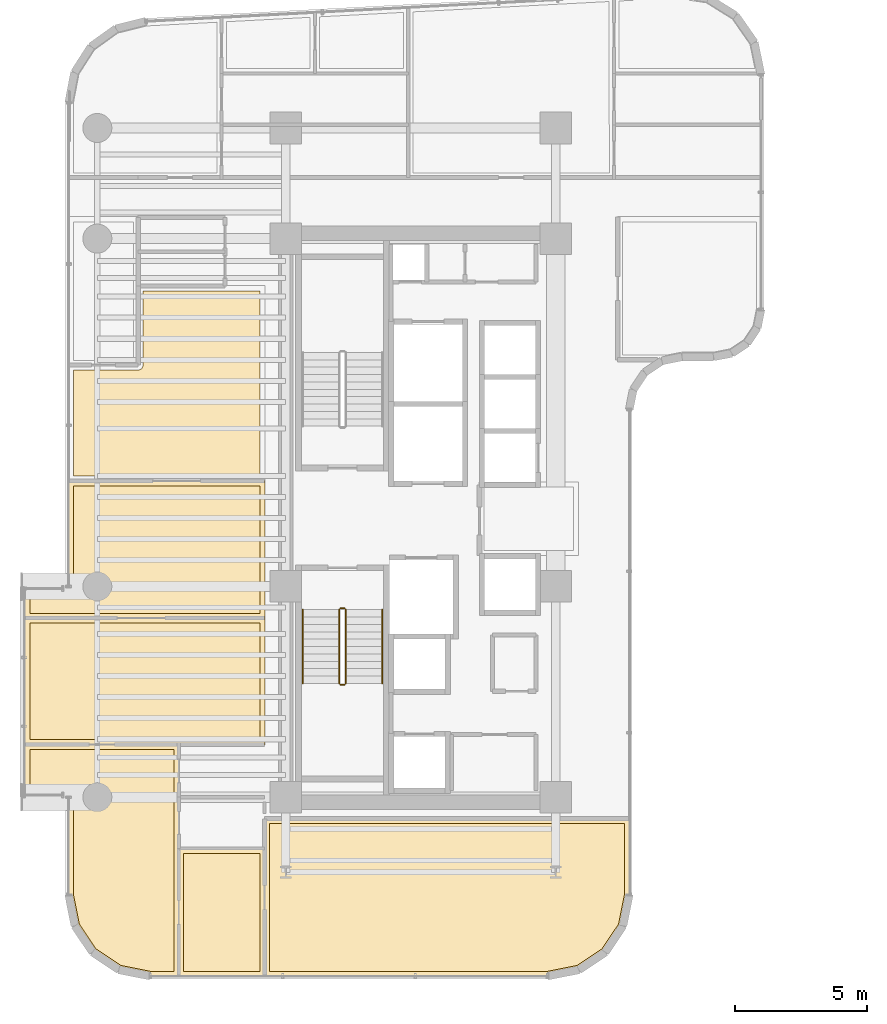
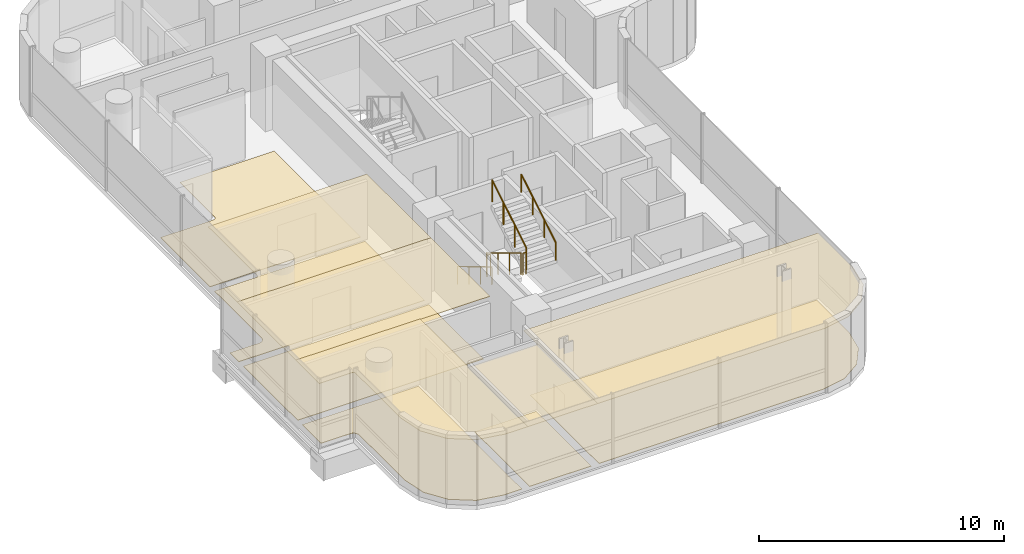
# One storey, part 31 of 34: 11 coverings, 6 railings.
"""IFC4 building model written with IfcOpenShell, lengths in metres."""

import ifcopenshell
import ifcopenshell.guid

model = None  # the IFC model being written
_history = None  # IfcOwnerHistory: only IFC2X3 demands one
_inside = {}  # id of a spatial element -> (the spatial element, [elements in it])
_under = {}  # id of a project, library or spatial element -> (it, [spatial elements below it])
_declared = {}  # id of a project -> (the project, [libraries it declares])
_typed = {}  # id of a type object -> (the type object, [elements of that type])
_made_of = {}  # id of a material, layer set ... -> (it, [elements and type objects made of it])


def new_model(schema):
    """Start an empty IFC model of exactly this schema.

    Asked for "IFC4X3", IfcOpenShell would pick the latest addendum, in which some entities
    have other attributes; the version numbers below select the first issue.
    IFC2X3 requires an IfcOwnerHistory on every rooted entity: one is made here for all.
    """
    global model, _history
    if schema == "IFC4X3":
        model = ifcopenshell.file(schema_version=(4, 3, 0, 0))
    else:
        model = ifcopenshell.file(schema=schema)
    _inside.clear()
    _under.clear()
    _declared.clear()
    _typed.clear()
    _made_of.clear()
    _history = None
    if model.schema == "IFC2X3":
        org = make("IfcOrganization", Name="unknown")
        user = make(
            "IfcPersonAndOrganization",
            ThePerson=make("IfcPerson", FamilyName="unknown"),
            TheOrganization=org,
        )
        app = make(
            "IfcApplication",
            ApplicationDeveloper=org,
            Version="unknown",
            ApplicationFullName="unknown",
            ApplicationIdentifier="unknown",
        )
        _history = make(
            "IfcOwnerHistory",
            OwningUser=user,
            OwningApplication=app,
            ChangeAction="ADDED",
            CreationDate=0,
        )
    return model


def make(cls, **values):
    """One entity of the class cls with the attributes given. An attribute that is None is left unset."""
    return model.create_entity(
        cls, **{name: value for name, value in values.items() if value is not None}
    )


def rooted(cls, **values):
    """An entity with a GlobalId (a new one), such as an element, a storey or a relation."""
    return make(cls, GlobalId=ifcopenshell.guid.new(), OwnerHistory=_history, **values)


def si_unit(unit_type, name, prefix=None):
    """IfcSIUnit, for example si_unit("LENGTHUNIT", "METRE", prefix="MILLI")."""
    return make("IfcSIUnit", UnitType=unit_type, Prefix=prefix, Name=name)


def assignment(units):
    """IfcUnitAssignment: the units of a project."""
    return None if units is None else make("IfcUnitAssignment", Units=units)


def point(xyz):
    """IfcCartesianPoint."""
    return None if xyz is None else make("IfcCartesianPoint", Coordinates=xyz)


def direction(xyz):
    """IfcDirection."""
    return None if xyz is None else make("IfcDirection", DirectionRatios=xyz)


def frame(location, z_axis=None, x_axis=None):
    """IfcAxis2Placement3D, a coordinate frame: its origin and axes. An axis left out is left unset."""
    return make(
        "IfcAxis2Placement3D",
        Location=point(location),
        Axis=direction(z_axis),
        RefDirection=direction(x_axis),
    )


def frame_2d(location, x_axis=None):
    """IfcAxis2Placement2D, a coordinate frame in the plane: its origin and x axis."""
    return make(
        "IfcAxis2Placement2D", Location=point(location), RefDirection=direction(x_axis)
    )


def origin():
    """The frame at (0, 0, 0) with its axes left unset."""
    return frame((0.0, 0.0, 0.0))


def origin_2d():
    """The frame at (0, 0) in the plane with its x axis left unset."""
    return frame_2d((0.0, 0.0))


def place(relative_to, where):
    """IfcLocalPlacement: puts the frame where relative to a parent placement (None: the world)."""
    return make(
        "IfcLocalPlacement", PlacementRelTo=relative_to, RelativePlacement=where
    )


def context(
    kind, dimensions, precision=None, world=None, true_north=None, identifier=None
):
    """IfcGeometricRepresentationContext, for example the 3D "Model" context."""
    return make(
        "IfcGeometricRepresentationContext",
        ContextIdentifier=identifier,
        ContextType=kind,
        CoordinateSpaceDimension=dimensions,
        Precision=precision,
        WorldCoordinateSystem=world,
        TrueNorth=true_north,
    )


def subcontext(parent, identifier, kind, view, scale=None):
    """IfcGeometricRepresentationSubContext, for example "Body" below "Model"."""
    return make(
        "IfcGeometricRepresentationSubContext",
        ContextIdentifier=identifier,
        ContextType=kind,
        ParentContext=parent,
        TargetScale=scale,
        TargetView=view,
    )


def project(units=None, contexts=None):
    """IfcProject with its units and contexts."""
    return rooted(
        "IfcProject",
        Name="project",
        RepresentationContexts=contexts,
        UnitsInContext=assignment(units),
    )


def spatial(cls, under=None, at=None, **own):
    """A site, building, storey or space (cls), placed at a placement, below another one or the project."""
    s = rooted(cls, ObjectPlacement=at, **own)
    if under is not None:
        _under.setdefault(under.id(), (under, []))[1].append(s)
    return s


def polyline(points):
    """IfcPolyline through the points."""
    return make("IfcPolyline", Points=[point(p) for p in points])


def profile(cls, at=None, kind="AREA", **sizes):
    """A parametric profile (cls). Its sizes go by their IFC names, for example OverallWidth=200.0."""
    return make(cls, ProfileType=kind, Position=at, **sizes)


def circle(**sizes):
    """IfcCircleProfileDef."""
    return profile("IfcCircleProfileDef", **sizes)


def outline(outer, holes=None, kind="AREA"):
    """IfcArbitraryClosedProfileDef: a profile drawn as a closed curve; with holes, ...WithVoids."""
    if holes is None:
        return make("IfcArbitraryClosedProfileDef", ProfileType=kind, OuterCurve=outer)
    return make(
        "IfcArbitraryProfileDefWithVoids",
        ProfileType=kind,
        OuterCurve=outer,
        InnerCurves=holes,
    )


def extrude(swept, where, along, depth):
    """IfcExtrudedAreaSolid: the profile swept, set in the frame where, extruded along a direction by depth."""
    return make(
        "IfcExtrudedAreaSolid",
        SweptArea=swept,
        Position=where,
        ExtrudedDirection=direction(along),
        Depth=depth,
    )


def shape(context_of_items, identifier, shape_type, items):
    """IfcShapeRepresentation: the items that make up one representation, for example the "Body"."""
    return make(
        "IfcShapeRepresentation",
        ContextOfItems=context_of_items,
        RepresentationIdentifier=identifier,
        RepresentationType=shape_type,
        Items=items,
    )


def material(Name=None, Category=None):
    """IfcMaterial."""
    return make("IfcMaterial", Name=Name, Category=Category)


def layer(
    of_material, thickness, ventilated=None, Name=None, Category=None, Priority=None
):
    """IfcMaterialLayer: one layer of a wall or slab, of a material (None: an air gap)."""
    return make(
        "IfcMaterialLayer",
        Material=of_material,
        LayerThickness=thickness,
        IsVentilated=ventilated,
        Name=Name,
        Category=Category,
        Priority=Priority,
    )


def layer_set(layers, Name=None):
    """IfcMaterialLayerSet."""
    return make("IfcMaterialLayerSet", MaterialLayers=layers, LayerSetName=Name)


def made_of(thing, what):
    """Note that an element or type object is made of a material, layer set ...; save() writes the relation."""
    if what is not None:
        _made_of.setdefault(what.id(), (what, []))[1].append(thing)
    return thing


def type_object(cls, material=None, **own):
    """A type object (cls), such as IfcWallType, which elements share."""
    return made_of(rooted(cls, **own), material)


def element(
    cls,
    number,
    at=None,
    inside=None,
    cuts=None,
    type_object=None,
    material=None,
    context=None,
    identifier="Body",
    shape_type=None,
    held_by="IfcProductDefinitionShape",
    body=None,
    shapes=None,
    **own,
):
    """One element of the class cls, such as IfcWall. Its Tag is "e" and its number.

    at: its placement. inside: the storey or other place that contains it. cuts: it is an
    opening in that element (IfcRelVoidsElement). A single representation is given by context,
    identifier, shape_type and body (its items); several are given by shapes. held_by: the class
    of the entity that holds the representations. save() writes the other relations.
    """
    e = rooted(cls, Tag="e%d" % number, ObjectPlacement=at, **own)
    if body is not None:
        shapes = [shape(context, identifier, shape_type, body)]
    if shapes is not None:
        e.Representation = make(held_by, Representations=shapes)
    if inside is not None:
        _inside.setdefault(inside.id(), (inside, []))[1].append(e)
    if cuts is not None:
        rooted(
            "IfcRelVoidsElement", RelatingBuildingElement=cuts, RelatedOpeningElement=e
        )
    if type_object is not None:
        _typed.setdefault(type_object.id(), (type_object, []))[1].append(e)
    return made_of(e, material)


def aggregate(whole, parts):
    """IfcRelAggregates: a whole, such as a stair, and the parts it consists of."""
    return rooted("IfcRelAggregates", RelatingObject=whole, RelatedObjects=parts)


def save(model, path):
    """Write the relations noted so far, then the file.

    IfcRelAggregates (storeys below a building ...), IfcRelContainedInSpatialStructure (elements
    in a storey), IfcRelDefinesByType, IfcRelAssociatesMaterial and IfcRelDeclares: one each for
    every whole, place, type object, material and project.
    """
    for whole, parts in _under.values():
        aggregate(whole, parts)
    for where, things in _inside.values():
        rooted(
            "IfcRelContainedInSpatialStructure",
            RelatedElements=things,
            RelatingStructure=where,
        )
    for kind, things in _typed.values():
        rooted("IfcRelDefinesByType", RelatedObjects=things, RelatingType=kind)
    for what, things in _made_of.values():
        rooted("IfcRelAssociatesMaterial", RelatedObjects=things, RelatingMaterial=what)
    for by, libraries in _declared.values():
        rooted("IfcRelDeclares", RelatingContext=by, RelatedDefinitions=libraries)
    model.write(path)


model = new_model("IFC4")

# Units and contexts
model_context = context("Model", 3, precision=1e-05, world=origin(), true_north=direction((0.0, 1.0)))
body_context = subcontext(model_context, "Body", "Model", "MODEL_VIEW")
ifc_project = project(units=[si_unit("LENGTHUNIT", "METRE"), si_unit("AREAUNIT", "SQUARE_METRE"), si_unit("VOLUMEUNIT", "CUBIC_METRE"), si_unit("PLANEANGLEUNIT", "RADIAN"), si_unit("MASSUNIT", "GRAM", prefix="KILO")], contexts=[model_context])

# Site, building, storey
site_placement = place(None, origin())
site = spatial("IfcSite", under=ifc_project, at=site_placement, CompositionType="ELEMENT")
building_placement = place(site_placement, origin())
building = spatial("IfcBuilding", under=site, at=building_placement, Name="Valdorenza Pilgrim Sanctuary Tower", CompositionType="ELEMENT")
storey_placement = place(building_placement, frame((0.0, 0.0, 164.89990234375)))
storey = spatial("IfcBuildingStorey", under=building, at=storey_placement, Name="L42", CompositionType="ELEMENT", Elevation=164.89990234375)

# Coverings
ifc_material_1 = material(Name="Micro-perforated acoustic mineral ceiling tile", Category="gypsum")
ifc_layer_1 = layer(ifc_material_1, 0.02490234375, Name="Micro-perforated acoustic mineral ceiling tile")
ifc_layer_set_1 = layer_set([ifc_layer_1], Name="Micro-perforated acoustic mineral ceiling tile")
covering_type_1 = type_object("IfcCoveringType", Name="COV-CLG-ACU", PredefinedType="CEILING", material=ifc_layer_set_1)
covering_1_placement = place(storey_placement, frame((0.0, 0.0, 3.16015625)))
element("IfcCovering", 1, at=covering_1_placement, inside=storey, type_object=covering_type_1, Name="L42 Sanctuary Apartment L42-CS1 Bedroom Acoustic Ceiling", PredefinedType="CEILING", context=body_context, shape_type="SweptSolid", body=[
    extrude(outline(polyline([(-26.7236328125, -12.550048828125), (-26.723388671875, -12.548583984375), (-26.723388671875, -12.547119140625), (-26.722900390625, -12.545654296875), (-26.722412109375, -12.544189453125), (-26.7216796875, -12.54296875), (-26.72119140625, -12.541748046875), (-26.72021484375, -12.54052734375), (-26.71923828125, -12.539306640625), (-26.718017578125, -12.538330078125), (-26.716796875, -12.53759765625), (-26.7158203125, -12.536865234375), (-26.71435546875, -12.5361328125), (-26.712890625, -12.53564453125), (-26.71142578125, -12.535400390625), (-26.710205078125, -12.53515625), (-26.70849609375, -12.534912109375), (-23.449951171875, -12.534912109375), (-23.448486328125, -12.53515625), (-23.447021484375, -12.535400390625), (-23.445556640625, -12.53564453125), (-23.4443359375, -12.5361328125), (-23.44287109375, -12.536865234375), (-23.441650390625, -12.53759765625), (-23.4404296875, -12.538330078125), (-23.439453125, -12.539306640625), (-23.4384765625, -12.54052734375), (-23.4375, -12.541748046875), (-23.436767578125, -12.54296875), (-23.43603515625, -12.544189453125), (-23.435546875, -12.545654296875), (-23.435302734375, -12.547119140625), (-23.43505859375, -12.548583984375), (-23.43505859375, -12.550048828125), (-23.43505859375, -17.389892578125), (-23.43505859375, -17.3916015625), (-23.435302734375, -17.392822265625), (-23.435546875, -17.394287109375), (-23.43603515625, -17.395751953125), (-23.436767578125, -17.397216796875), (-23.4375, -17.398193359375), (-23.4384765625, -17.3994140625), (-23.439453125, -17.400634765625), (-23.4404296875, -17.401611328125), (-23.441650390625, -17.402587890625), (-23.44287109375, -17.4033203125), (-23.4443359375, -17.40380859375), (-23.445556640625, -17.404296875), (-23.447021484375, -17.40478515625), (-23.448486328125, -17.40478515625), (-23.449951171875, -17.405029296875), (-26.70849609375, -17.405029296875), (-26.710205078125, -17.40478515625), (-26.71142578125, -17.40478515625), (-26.712890625, -17.404296875), (-26.71435546875, -17.40380859375), (-26.7158203125, -17.4033203125), (-26.716796875, -17.402587890625), (-26.718017578125, -17.401611328125), (-26.71923828125, -17.400634765625), (-26.72021484375, -17.3994140625), (-26.72119140625, -17.398193359375), (-26.7216796875, -17.397216796875), (-26.722412109375, -17.395751953125), (-26.722900390625, -17.394287109375), (-26.723388671875, -17.392822265625), (-26.723388671875, -17.3916015625), (-26.7236328125, -17.389892578125), (-26.7236328125, -12.550048828125)])), origin(), (0.0, 0.0, 1.0), 0.02490234375),
])
covering_2_placement = place(storey_placement, frame((0.0, 0.0, 3.16015625)))
element("IfcCovering", 2, at=covering_2_placement, inside=storey, type_object=covering_type_1, Name="L42 Sanctuary Apartment L42-CS1 Living Room Acoustic Ceiling", PredefinedType="CEILING", context=body_context, shape_type="SweptSolid", body=[
    extrude(outline(polyline([(-28.984619140625, -17.16748046875), (-28.986083984375, -17.1669921875), (-28.9873046875, -17.16650390625), (-28.98876953125, -17.166015625), (-28.989990234375, -17.165283203125), (-29.99169921875, -16.495849609375), (-29.992919921875, -16.4951171875), (-29.993896484375, -16.493896484375), (-29.9951171875, -16.492919921875), (-29.995849609375, -16.49169921875), (-30.665283203125, -15.489990234375), (-30.666015625, -15.48876953125), (-30.66650390625, -15.4873046875), (-30.6669921875, -15.486083984375), (-30.66748046875, -15.484619140625), (-30.90478515625, -14.2919921875), (-30.90478515625, -14.29052734375), (-30.905029296875, -14.289306640625), (-30.905029296875, -10.600341796875), (-30.905517578125, -10.5908203125), (-30.90673828125, -10.58154296875), (-30.9091796875, -10.572509765625), (-30.912109375, -10.563720703125), (-30.916259765625, -10.55517578125), (-30.9208984375, -10.547119140625), (-30.926513671875, -10.539794921875), (-30.932861328125, -10.53271484375), (-30.939697265625, -10.526611328125), (-30.947265625, -10.52099609375), (-30.955078125, -10.51611328125), (-30.963623046875, -10.51220703125), (-30.972412109375, -10.509033203125), (-30.9814453125, -10.5068359375), (-30.99072265625, -10.505615234375), (-31.00048828125, -10.5048828125), (-32.5400390625, -10.5048828125), (-32.54150390625, -10.5048828125), (-32.54296875, -10.504638671875), (-32.54443359375, -10.50439453125), (-32.545654296875, -10.50390625), (-32.547119140625, -10.503173828125), (-32.54833984375, -10.50244140625), (-32.549560546875, -10.501708984375), (-32.550537109375, -10.50048828125), (-32.551513671875, -10.49951171875), (-32.552490234375, -10.498291015625), (-32.55322265625, -10.4970703125), (-32.553955078125, -10.49560546875), (-32.554443359375, -10.494384765625), (-32.5546875, -10.492919921875), (-32.554931640625, -10.491455078125), (-32.554931640625, -10.489990234375), (-32.554931640625, -8.60009765625), (-32.554931640625, -8.598388671875), (-32.5546875, -8.59716796875), (-32.554443359375, -8.595703125), (-32.553955078125, -8.59423828125), (-32.55322265625, -8.593017578125), (-32.552490234375, -8.591796875), (-32.551513671875, -8.590576171875), (-32.550537109375, -8.58935546875), (-32.549560546875, -8.58837890625), (-32.54833984375, -8.58740234375), (-32.547119140625, -8.5869140625), (-32.545654296875, -8.586181640625), (-32.54443359375, -8.585693359375), (-32.54296875, -8.585205078125), (-32.54150390625, -8.585205078125), (-32.5400390625, -8.5849609375), (-26.70849609375, -8.5849609375), (-26.70703125, -8.585205078125), (-26.705810546875, -8.585205078125), (-26.7041015625, -8.585693359375), (-26.702880859375, -8.586181640625), (-26.701416015625, -8.5869140625), (-26.7001953125, -8.58740234375), (-26.69921875, -8.58837890625), (-26.697998046875, -8.58935546875), (-26.697021484375, -8.590576171875), (-26.696044921875, -8.591796875), (-26.6953125, -8.593017578125), (-26.694580078125, -8.59423828125), (-26.694091796875, -8.595703125), (-26.69384765625, -8.59716796875), (-26.693603515625, -8.598388671875), (-26.693603515625, -8.60009765625), (-26.693603515625, -12.548095703125), (-26.693603515625, -12.549560546875), (-26.69384765625, -12.551025390625), (-26.6943359375, -12.552490234375), (-26.69482421875, -12.553955078125), (-26.695556640625, -12.555419921875), (-26.695556640625, -12.555419921875), (-26.695556640625, -17.389892578125), (-26.69580078125, -17.3916015625), (-26.69580078125, -17.392822265625), (-26.6962890625, -17.394287109375), (-26.69677734375, -17.395751953125), (-26.697509765625, -17.397216796875), (-26.697998046875, -17.398193359375), (-26.698974609375, -17.3994140625), (-26.699951171875, -17.400634765625), (-26.701171875, -17.401611328125), (-26.702392578125, -17.402587890625), (-26.70361328125, -17.4033203125), (-26.704833984375, -17.40380859375), (-26.706298828125, -17.404296875), (-26.707763671875, -17.40478515625), (-26.708984375, -17.40478515625), (-26.710693359375, -17.405029296875), (-27.789306640625, -17.405029296875), (-27.79052734375, -17.40478515625), (-27.7919921875, -17.40478515625), (-28.984619140625, -17.16748046875)])), origin(), (0.0, 0.0, 1.0), 0.02490234375),
])
covering_3_placement = place(storey_placement, frame((0.0, 0.0, 3.16015625)))
element("IfcCovering", 3, at=covering_3_placement, inside=storey, type_object=covering_type_1, Name="L42 South Contemplation Salon L42 Acoustic Ceiling", PredefinedType="CEILING", context=body_context, shape_type="SweptSolid", body=[
    extrude(outline(polyline([(-26.71044921875, -8.613037109375), (-32.5400390625, -8.613037109375), (-32.54150390625, -8.61279296875), (-32.54296875, -8.61279296875), (-32.54443359375, -8.6123046875), (-32.545654296875, -8.61181640625), (-32.547119140625, -8.611083984375), (-32.54833984375, -8.610595703125), (-32.549560546875, -8.609619140625), (-32.550537109375, -8.608642578125), (-32.551513671875, -8.607421875), (-32.552490234375, -8.606201171875), (-32.55322265625, -8.60498046875), (-32.553955078125, -8.603759765625), (-32.554443359375, -8.602294921875), (-32.5546875, -8.600830078125), (-32.554931640625, -8.599609375), (-32.554931640625, -8.597900390625), (-32.554931640625, -3.800048828125), (-32.554931640625, -3.798583984375), (-32.5546875, -3.797119140625), (-32.554443359375, -3.795654296875), (-32.553955078125, -3.794189453125), (-32.55322265625, -3.79296875), (-32.552490234375, -3.791748046875), (-32.551513671875, -3.79052734375), (-32.550537109375, -3.789306640625), (-32.549560546875, -3.788330078125), (-32.54833984375, -3.78759765625), (-32.547119140625, -3.786865234375), (-32.545654296875, -3.7861328125), (-32.54443359375, -3.78564453125), (-32.54296875, -3.785400390625), (-32.54150390625, -3.78515625), (-32.5400390625, -3.784912109375), (-23.449951171875, -3.784912109375), (-23.448486328125, -3.78515625), (-23.447021484375, -3.785400390625), (-23.445556640625, -3.78564453125), (-23.4443359375, -3.7861328125), (-23.44287109375, -3.786865234375), (-23.441650390625, -3.78759765625), (-23.4404296875, -3.788330078125), (-23.439453125, -3.789306640625), (-23.4384765625, -3.79052734375), (-23.4375, -3.791748046875), (-23.436767578125, -3.79296875), (-23.43603515625, -3.794189453125), (-23.435546875, -3.795654296875), (-23.435302734375, -3.797119140625), (-23.43505859375, -3.798583984375), (-23.43505859375, -3.800048828125), (-23.43505859375, -8.597900390625), (-23.43505859375, -8.599609375), (-23.435302734375, -8.600830078125), (-23.435546875, -8.602294921875), (-23.43603515625, -8.603759765625), (-23.436767578125, -8.60498046875), (-23.4375, -8.606201171875), (-23.4384765625, -8.607421875), (-23.439453125, -8.608642578125), (-23.4404296875, -8.609619140625), (-23.441650390625, -8.610595703125), (-23.44287109375, -8.611083984375), (-23.4443359375, -8.61181640625), (-23.445556640625, -8.6123046875), (-23.447021484375, -8.61279296875), (-23.448486328125, -8.61279296875), (-23.449951171875, -8.613037109375), (-26.704833984375, -8.613037109375), (-26.70556640625, -8.613037109375), (-26.70703125, -8.61328125), (-26.70849609375, -8.61328125), (-26.710205078125, -8.613037109375), (-26.71044921875, -8.613037109375)])), origin(), (0.0, 0.0, 1.0), 0.02490234375),
])
covering_4_placement = place(storey_placement, frame((0.0, 0.0, 3.16015625)))
element("IfcCovering", 4, at=covering_4_placement, inside=storey, type_object=covering_type_1, Name="L42 Pilgrim Reading Lounge L42 Acoustic Ceiling", PredefinedType="CEILING", context=body_context, shape_type="SweptSolid", body=[
    extrude(outline(polyline([(-23.43505859375, -3.798095703125), (-23.43505859375, -3.799560546875), (-23.435302734375, -3.80078125), (-23.435546875, -3.802490234375), (-23.43603515625, -3.8037109375), (-23.436767578125, -3.80517578125), (-23.4375, -3.806396484375), (-23.4384765625, -3.8076171875), (-23.439453125, -3.80859375), (-23.4404296875, -3.8095703125), (-23.441650390625, -3.810546875), (-23.44287109375, -3.811279296875), (-23.4443359375, -3.81201171875), (-23.445556640625, -3.8125), (-23.447021484375, -3.812744140625), (-23.448486328125, -3.81298828125), (-23.449951171875, -3.81298828125), (-32.5400390625, -3.81298828125), (-32.54150390625, -3.81298828125), (-32.54296875, -3.812744140625), (-32.54443359375, -3.8125), (-32.545654296875, -3.81201171875), (-32.547119140625, -3.811279296875), (-32.54833984375, -3.810546875), (-32.549560546875, -3.8095703125), (-32.550537109375, -3.80859375), (-32.551513671875, -3.8076171875), (-32.552490234375, -3.806396484375), (-32.55322265625, -3.80517578125), (-32.553955078125, -3.8037109375), (-32.554443359375, -3.802490234375), (-32.5546875, -3.80078125), (-32.554931640625, -3.799560546875), (-32.554931640625, -3.798095703125), (-32.554931640625, -2.7099609375), (-32.554931640625, -2.70849609375), (-32.5546875, -2.70703125), (-32.554443359375, -2.70556640625), (-32.553955078125, -2.704345703125), (-32.55322265625, -2.702880859375), (-32.552490234375, -2.70166015625), (-32.551513671875, -2.700439453125), (-32.550537109375, -2.699462890625), (-32.549560546875, -2.698486328125), (-32.54833984375, -2.697509765625), (-32.547119140625, -2.69677734375), (-32.545654296875, -2.696044921875), (-32.54443359375, -2.695556640625), (-32.54296875, -2.6953125), (-32.54150390625, -2.695068359375), (-32.5400390625, -2.695068359375), (-31.00048828125, -2.695068359375), (-30.99072265625, -2.694580078125), (-30.9814453125, -2.693115234375), (-30.972412109375, -2.69091796875), (-30.963623046875, -2.687744140625), (-30.955078125, -2.683837890625), (-30.947265625, -2.678955078125), (-30.939697265625, -2.67333984375), (-30.932861328125, -2.667236328125), (-30.926513671875, -2.660400390625), (-30.9208984375, -2.65283203125), (-30.916259765625, -2.644775390625), (-30.912109375, -2.63623046875), (-30.9091796875, -2.627685546875), (-30.90673828125, -2.618408203125), (-30.905517578125, -2.609375), (-30.905029296875, -2.599609375), (-30.905029296875, 1.39990234375), (-30.90478515625, 1.401611328125), (-30.90478515625, 1.40283203125), (-30.904296875, 1.404296875), (-30.90380859375, 1.40576171875), (-30.9033203125, 1.406982421875), (-30.902587890625, 1.408203125), (-30.901611328125, 1.409423828125), (-30.900634765625, 1.41064453125), (-30.8994140625, 1.41162109375), (-30.898193359375, 1.41259765625), (-30.897216796875, 1.4130859375), (-30.895751953125, 1.413818359375), (-30.894287109375, 1.414306640625), (-30.892822265625, 1.414794921875), (-30.8916015625, 1.414794921875), (-30.889892578125, 1.4150390625), (-23.449951171875, 1.4150390625), (-23.448486328125, 1.414794921875), (-23.447021484375, 1.414794921875), (-23.445556640625, 1.414306640625), (-23.4443359375, 1.413818359375), (-23.44287109375, 1.4130859375), (-23.441650390625, 1.41259765625), (-23.4404296875, 1.41162109375), (-23.439453125, 1.41064453125), (-23.4384765625, 1.409423828125), (-23.4375, 1.408203125), (-23.436767578125, 1.406982421875), (-23.43603515625, 1.40576171875), (-23.435546875, 1.404296875), (-23.435302734375, 1.40283203125), (-23.43505859375, 1.401611328125), (-23.43505859375, 1.39990234375), (-23.43505859375, -3.798095703125)])), origin(), (0.0, 0.0, 1.0), 0.02490234375),
])
covering_5_placement = place(storey_placement, frame((0.0, 0.0, 3.16015625)))
element("IfcCovering", 5, at=covering_5_placement, inside=storey, type_object=covering_type_1, Name="L42 Sacred Archive Reading Library L42-S Acoustic Ceiling", PredefinedType="CEILING", context=body_context, shape_type="SweptSolid", body=[
    extrude(outline(polyline([(-23.462890625, -12.5517578125), (-23.463134765625, -12.551025390625), (-23.46337890625, -12.549560546875), (-23.463134765625, -12.548095703125), (-23.463134765625, -12.54638671875), (-23.462890625, -12.546142578125), (-23.462890625, -11.419921875), (-23.462890625, -11.41845703125), (-23.462646484375, -11.4169921875), (-23.46240234375, -11.41552734375), (-23.4619140625, -11.414306640625), (-23.461181640625, -11.412841796875), (-23.46044921875, -11.41162109375), (-23.459716796875, -11.410400390625), (-23.45849609375, -11.409423828125), (-23.45751953125, -11.408447265625), (-23.456298828125, -11.407470703125), (-23.455078125, -11.40673828125), (-23.45361328125, -11.406005859375), (-23.452392578125, -11.405517578125), (-23.450927734375, -11.4052734375), (-23.449462890625, -11.405029296875), (-23.447998046875, -11.405029296875), (-9.610107421875, -11.405029296875), (-9.6083984375, -11.405029296875), (-9.607177734375, -11.4052734375), (-9.605712890625, -11.405517578125), (-9.604248046875, -11.406005859375), (-9.602783203125, -11.40673828125), (-9.601806640625, -11.407470703125), (-9.6005859375, -11.408447265625), (-9.599365234375, -11.409423828125), (-9.598388671875, -11.410400390625), (-9.597412109375, -11.41162109375), (-9.5966796875, -11.412841796875), (-9.59619140625, -11.414306640625), (-9.595703125, -11.41552734375), (-9.59521484375, -11.4169921875), (-9.59521484375, -11.41845703125), (-9.594970703125, -11.419921875), (-9.594970703125, -14.289306640625), (-9.59521484375, -14.29052734375), (-9.59521484375, -14.2919921875), (-9.83251953125, -15.484619140625), (-9.8330078125, -15.486083984375), (-9.83349609375, -15.4873046875), (-9.833984375, -15.48876953125), (-9.834716796875, -15.489990234375), (-10.504150390625, -16.49169921875), (-10.5048828125, -16.492919921875), (-10.506103515625, -16.493896484375), (-10.507080078125, -16.4951171875), (-10.50830078125, -16.495849609375), (-11.510009765625, -17.165283203125), (-11.51123046875, -17.166015625), (-11.5126953125, -17.16650390625), (-11.513916015625, -17.1669921875), (-11.515380859375, -17.16748046875), (-12.7080078125, -17.40478515625), (-12.70947265625, -17.40478515625), (-12.710693359375, -17.405029296875), (-23.447998046875, -17.405029296875), (-23.449462890625, -17.40478515625), (-23.450927734375, -17.40478515625), (-23.452392578125, -17.404296875), (-23.45361328125, -17.40380859375), (-23.455078125, -17.4033203125), (-23.456298828125, -17.402587890625), (-23.45751953125, -17.401611328125), (-23.45849609375, -17.400634765625), (-23.459716796875, -17.3994140625), (-23.46044921875, -17.398193359375), (-23.461181640625, -17.397216796875), (-23.4619140625, -17.395751953125), (-23.46240234375, -17.394287109375), (-23.462646484375, -17.392822265625), (-23.462890625, -17.3916015625), (-23.462890625, -17.389892578125), (-23.462890625, -12.5517578125)])), origin(), (0.0, 0.0, 1.0), 0.02490234375),
])
ifc_material_2 = material(Name="Engineered European oak timber flooring", Category="wood")
ifc_layer_2 = layer(ifc_material_2, 0.02197265625, Name="Engineered European oak timber flooring")
ifc_layer_set_2 = layer_set([ifc_layer_2], Name="Engineered European oak timber flooring")
covering_type_2 = type_object("IfcCoveringType", Name="COV-FLR-OAK", PredefinedType="FLOORING", material=ifc_layer_set_2)
covering_6_placement = place(storey_placement, origin())
element("IfcCovering", 6, at=covering_6_placement, inside=storey, type_object=covering_type_2, Name="L42 Sanctuary Apartment L42-CS1 Bedroom Flooring", PredefinedType="FLOORING", context=body_context, shape_type="SweptSolid", body=[
    extrude(outline(polyline([(-26.528564453125, -12.72998046875), (-23.6298828125, -12.72998046875), (-23.6298828125, -17.2099609375), (-26.528564453125, -17.2099609375), (-26.528564453125, -12.72998046875)])), origin(), (0.0, 0.0, 1.0), 0.025146484375),
])
covering_7_placement = place(storey_placement, origin())
element("IfcCovering", 7, at=covering_7_placement, inside=storey, type_object=covering_type_2, Name="L42 Sanctuary Apartment L42-CS1 Living Room Flooring", PredefinedType="FLOORING", context=body_context, shape_type="SweptSolid", body=[
    extrude(outline(polyline([(-28.911376953125, -16.983154296875), (-29.853515625, -16.353515625), (-30.483154296875, -15.411376953125), (-30.7099609375, -14.271484375), (-30.7099609375, -10.60009765625), (-30.710205078125, -10.59130859375), (-30.710693359375, -10.580322265625), (-30.71240234375, -10.562744140625), (-30.714111328125, -10.552001953125), (-30.717529296875, -10.534912109375), (-30.72021484375, -10.5244140625), (-30.725341796875, -10.50732421875), (-30.72900390625, -10.497314453125), (-30.735595703125, -10.48095703125), (-30.740234375, -10.47119140625), (-30.74853515625, -10.45556640625), (-30.754150390625, -10.4462890625), (-30.763916015625, -10.431640625), (-30.7705078125, -10.423095703125), (-30.781494140625, -10.4091796875), (-30.788818359375, -10.4013671875), (-30.80126953125, -10.388916015625), (-30.809326171875, -10.381591796875), (-30.822998046875, -10.370361328125), (-30.831787109375, -10.364013671875), (-30.84619140625, -10.35400390625), (-30.855712890625, -10.3486328125), (-30.87109375, -10.34033203125), (-30.880859375, -10.335693359375), (-30.897216796875, -10.328857421875), (-30.907470703125, -10.3251953125), (-30.92431640625, -10.320068359375), (-30.934814453125, -10.3173828125), (-30.9521484375, -10.314208984375), (-30.962890625, -10.3125), (-30.98046875, -10.310791015625), (-30.9912109375, -10.310302734375), (-31.0, -10.31005859375), (-32.360107421875, -10.31005859375), (-32.360107421875, -8.780029296875), (-26.888671875, -8.780029296875), (-26.888671875, -12.523193359375), (-26.888671875, -12.523193359375), (-26.888671875, -12.5234375), (-26.890380859375, -12.541015625), (-26.890380859375, -12.541259765625), (-26.890625, -12.550048828125), (-26.890625, -17.2099609375), (-27.771484375, -17.2099609375), (-28.911376953125, -16.983154296875)])), origin(), (0.0, 0.0, 1.0), 0.025146484375),
])
ifc_material_3 = material(Name="Honed travertine stone flooring", Category="masonry")
ifc_layer_3 = layer(ifc_material_3, 0.030029296875, Name="Honed travertine stone flooring")
ifc_layer_set_3 = layer_set([ifc_layer_3], Name="Honed travertine stone flooring")
covering_type_3 = type_object("IfcCoveringType", Name="COV-FLR-TRV", PredefinedType="FLOORING", material=ifc_layer_set_3)
covering_8_placement = place(storey_placement, origin())
element("IfcCovering", 8, at=covering_8_placement, inside=storey, type_object=covering_type_3, Name="L42 South Contemplation Salon L42 Flooring", PredefinedType="FLOORING", context=body_context, shape_type="SweptSolid", body=[
    extrude(outline(polyline([(-26.708251953125, -8.41796875), (-26.70849609375, -8.41796875), (-32.360107421875, -8.41796875), (-32.360107421875, -3.97998046875), (-23.6298828125, -3.97998046875), (-23.6298828125, -8.41796875), (-26.70654296875, -8.41796875), (-26.70751953125, -8.41796875), (-26.708251953125, -8.41796875)])), origin(), (0.0, 0.0, 1.0), 0.025146484375),
])
covering_9_placement = place(storey_placement, origin())
element("IfcCovering", 9, at=covering_9_placement, inside=storey, type_object=covering_type_3, Name="L42 Pilgrim Reading Lounge L42 Flooring", PredefinedType="FLOORING", context=body_context, shape_type="SweptSolid", body=[
    extrude(outline(polyline([(-23.6298828125, -3.617919921875), (-32.360107421875, -3.617919921875), (-32.360107421875, -2.889892578125), (-31.0, -2.889892578125), (-30.9912109375, -2.889892578125), (-30.98046875, -2.889404296875), (-30.962890625, -2.887451171875), (-30.9521484375, -2.885986328125), (-30.934814453125, -2.882568359375), (-30.92431640625, -2.8798828125), (-30.907470703125, -2.874755859375), (-30.897216796875, -2.87109375), (-30.880859375, -2.8642578125), (-30.87109375, -2.859619140625), (-30.855712890625, -2.851318359375), (-30.84619140625, -2.845947265625), (-30.831787109375, -2.8359375), (-30.822998046875, -2.82958984375), (-30.809326171875, -2.818359375), (-30.80126953125, -2.811279296875), (-30.788818359375, -2.798583984375), (-30.781494140625, -2.790771484375), (-30.7705078125, -2.777099609375), (-30.763916015625, -2.768310546875), (-30.754150390625, -2.753662109375), (-30.74853515625, -2.744384765625), (-30.740234375, -2.728759765625), (-30.735595703125, -2.718994140625), (-30.72900390625, -2.70263671875), (-30.725341796875, -2.692626953125), (-30.72021484375, -2.67578125), (-30.717529296875, -2.665283203125), (-30.714111328125, -2.64794921875), (-30.71240234375, -2.63720703125), (-30.710693359375, -2.61962890625), (-30.710205078125, -2.60888671875), (-30.7099609375, -2.60009765625), (-30.7099609375, 1.219970703125), (-23.6298828125, 1.219970703125), (-23.6298828125, -3.617919921875)])), origin(), (0.0, 0.0, 1.0), 0.025146484375),
])
covering_10_placement = place(storey_placement, origin())
element("IfcCovering", 10, at=covering_10_placement, inside=storey, type_object=covering_type_3, Name="L42 North Contemplation Salon L42 Flooring", PredefinedType="FLOORING", context=body_context, shape_type="SweptSolid", body=[
    extrude(outline(polyline([(-23.6298828125, 8.619873046875), (-23.6298828125, 1.58203125), (-30.7099609375, 1.58203125), (-30.7099609375, 5.617919921875), (-28.25, 5.617919921875), (-28.2412109375, 5.6181640625), (-28.240966796875, 5.6181640625), (-28.223388671875, 5.6201171875), (-28.22314453125, 5.6201171875), (-28.205810546875, 5.623291015625), (-28.205810546875, 5.62353515625), (-28.188720703125, 5.628662109375), (-28.188720703125, 5.628662109375), (-28.17236328125, 5.635498046875), (-28.172119140625, 5.635498046875), (-28.156494140625, 5.643798828125), (-28.156494140625, 5.643798828125), (-28.1416015625, 5.65380859375), (-28.1416015625, 5.65380859375), (-28.1279296875, 5.6650390625), (-28.127685546875, 5.665283203125), (-28.115234375, 5.677734375), (-28.114990234375, 5.677978515625), (-28.10400390625, 5.69140625), (-28.103759765625, 5.691650390625), (-28.093994140625, 5.706298828125), (-28.09375, 5.70654296875), (-28.08544921875, 5.72216796875), (-28.08544921875, 5.722412109375), (-28.07861328125, 5.738525390625), (-28.07861328125, 5.73876953125), (-28.073486328125, 5.755615234375), (-28.073486328125, 5.755859375), (-28.070068359375, 5.773193359375), (-28.070068359375, 5.7734375), (-28.068115234375, 5.791015625), (-28.068115234375, 5.791259765625), (-28.068115234375, 5.800048828125), (-28.068115234375, 8.617919921875), (-24.949951171875, 8.617919921875), (-24.94970703125, 8.617919921875), (-23.6298828125, 8.619873046875)])), origin(), (0.0, 0.0, 1.0), 0.025146484375),
])
covering_11_placement = place(storey_placement, origin())
element("IfcCovering", 11, at=covering_11_placement, inside=storey, type_object=covering_type_3, Name="L42 Sacred Archive Reading Library L42-S Flooring", PredefinedType="FLOORING", context=body_context, shape_type="SweptSolid", body=[
    extrude(outline(polyline([(-23.26806640625, -12.54833984375), (-23.26806640625, -12.548095703125), (-23.26806640625, -11.60009765625), (-9.7900390625, -11.60009765625), (-9.7900390625, -14.271484375), (-10.016845703125, -15.411376953125), (-10.646484375, -16.353515625), (-11.588623046875, -16.983154296875), (-12.728515625, -17.2099609375), (-23.26806640625, -17.2099609375), (-23.26806640625, -12.550048828125), (-23.26806640625, -12.549072265625), (-23.26806640625, -12.54833984375)])), origin(), (0.0, 0.0, 1.0), 0.025146484375),
])

# Railings
ifc_material_4 = material(Name="Stainless steel Grade 316", Category="steel")
railing_type_1 = type_object("IfcRailingType", Name="RLG-GRD-1120", PredefinedType="GUARDRAIL", material=ifc_material_4)
railing_1_placement = place(storey_placement, frame((-20.6201171875, -3.47998046875, 0.168212890625)))
element("IfcRailing", 12, at=railing_1_placement, inside=storey, type_object=railing_type_1, Name="L42 ST-A2 stair guard 1", PredefinedType="GUARDRAIL", context=body_context, shape_type="SweptSolid", body=[
    extrude(circle(Radius=0.02392578125, at=origin_2d()), frame((0.0, 0.0, 1.076171875), z_axis=(0.0, -0.857242210791, 0.514913383045), x_axis=(1.0, 0.0, 0.0)), (0.0, 0.0, 1.0), 3.266357421875),
    extrude(circle(Radius=0.02099609375, at=origin_2d()), origin(), (0.0, 0.0, 1.0), 1.052001953125),
    extrude(circle(Radius=0.02099609375, at=origin_2d()), frame((0.0, -0.933349609375, 0.560546875)), (0.0, 0.0, 1.0), 1.052001953125),
    extrude(circle(Radius=0.02099609375, at=origin_2d()), frame((0.0, -1.86669921875, 1.121337890625)), (0.0, 0.0, 1.0), 1.052001953125),
    extrude(circle(Radius=0.02099609375, at=origin_2d()), frame((0.0, -2.800048828125, 1.681884765625)), (0.0, 0.0, 1.0), 1.052001953125),
])
railing_2_placement = place(storey_placement, frame((-20.570068359375, -6.330078125, 1.85009765625)))
element("IfcRailing", 13, at=railing_2_placement, inside=storey, type_object=railing_type_1, Name="L42 ST-A2 stair guard 2", PredefinedType="GUARDRAIL", context=body_context, shape_type="SweptSolid", body=[
    extrude(circle(Radius=0.02392578125, at=origin_2d()), frame((0.0, 0.0, 1.076171875), z_axis=(1.0, 0.0, 0.0), x_axis=(0.0, 1.0, 0.0)), (0.0, 0.0, 1.0), 0.150146484375),
    extrude(circle(Radius=0.02099609375, at=origin_2d()), origin(), (0.0, 0.0, 1.0), 1.052001953125),
    extrude(circle(Radius=0.02099609375, at=origin_2d()), frame((0.150146484375, 0.0, 0.0)), (0.0, 0.0, 1.0), 1.052001953125),
])
railing_3_placement = place(storey_placement, frame((-20.3701171875, -6.280029296875, 2.018310546875)))
element("IfcRailing", 14, at=railing_3_placement, inside=storey, type_object=railing_type_1, Name="L42 ST-A2 stair guard 3", PredefinedType="GUARDRAIL", context=body_context, shape_type="SweptSolid", body=[
    extrude(circle(Radius=0.02392578125, at=origin_2d()), frame((0.0, 0.0, 1.076171875), z_axis=(0.0, 0.857242210791, 0.514913383045), x_axis=(-1.0, 0.0, 0.0)), (0.0, 0.0, 1.0), 3.266357421875),
    extrude(circle(Radius=0.02099609375, at=origin_2d()), origin(), (0.0, 0.0, 1.0), 1.052001953125),
    extrude(circle(Radius=0.02099609375, at=origin_2d()), frame((0.0, 0.933349609375, 0.560546875)), (0.0, 0.0, 1.0), 1.052001953125),
    extrude(circle(Radius=0.02099609375, at=origin_2d()), frame((0.0, 1.86669921875, 1.121337890625)), (0.0, 0.0, 1.0), 1.052001953125),
    extrude(circle(Radius=0.02099609375, at=origin_2d()), frame((0.0, 2.800048828125, 1.681884765625)), (0.0, 0.0, 1.0), 1.052001953125),
])
railing_4_placement = place(storey_placement, frame((-20.570068359375, -3.429931640625, 0.0)))
element("IfcRailing", 15, at=railing_4_placement, inside=storey, type_object=railing_type_1, Name="L42 ST-A2 stair guard 4", PredefinedType="GUARDRAIL", context=body_context, shape_type="SweptSolid", body=[
    extrude(circle(Radius=0.02392578125, at=origin_2d()), frame((0.0, 0.0, 1.076171875), z_axis=(1.0, 0.0, 0.0), x_axis=(0.0, 1.0, 0.0)), (0.0, 0.0, 1.0), 0.150146484375),
    extrude(circle(Radius=0.02099609375, at=origin_2d()), origin(), (0.0, 0.0, 1.0), 1.052001953125),
    extrude(circle(Radius=0.02099609375, at=origin_2d()), frame((0.150146484375, 0.0, 0.0)), (0.0, 0.0, 1.0), 1.052001953125),
])
ifc_material_5 = material(Name="Brushed stainless steel Grade 316", Category="steel")
railing_type_2 = type_object("IfcRailingType", Name="RLG-HND-920", PredefinedType="HANDRAIL", material=ifc_material_5)
railing_5_placement = place(storey_placement, frame((-22.0, -3.47998046875, 0.168212890625)))
element("IfcRailing", 16, at=railing_5_placement, inside=storey, type_object=railing_type_2, Name="L42 ST-A2 stair handrail 1", PredefinedType="HANDRAIL", context=body_context, shape_type="SweptSolid", body=[
    extrude(circle(Radius=0.02392578125, at=origin_2d()), frame((0.0, 0.0, 0.8759765625), z_axis=(0.0, -0.857242210791, 0.514913383045), x_axis=(1.0, 0.0, 0.0)), (0.0, 0.0, 1.0), 3.266357421875),
    extrude(circle(Radius=0.02099609375, at=origin_2d()), origin(), (0.0, 0.0, 1.0), 0.851806640625),
    extrude(circle(Radius=0.02099609375, at=origin_2d()), frame((0.0, -0.933349609375, 0.560546875)), (0.0, 0.0, 1.0), 0.851806640625),
    extrude(circle(Radius=0.02099609375, at=origin_2d()), frame((0.0, -1.86669921875, 1.121337890625)), (0.0, 0.0, 1.0), 0.851806640625),
    extrude(circle(Radius=0.02099609375, at=origin_2d()), frame((0.0, -2.800048828125, 1.681884765625)), (0.0, 0.0, 1.0), 0.851806640625),
])
railing_6_placement = place(storey_placement, frame((-18.989990234375, -6.280029296875, 2.018310546875)))
element("IfcRailing", 17, at=railing_6_placement, inside=storey, type_object=railing_type_2, Name="L42 ST-A2 stair handrail 2", PredefinedType="HANDRAIL", context=body_context, shape_type="SweptSolid", body=[
    extrude(circle(Radius=0.02392578125, at=origin_2d()), frame((0.0, 0.0, 0.8759765625), z_axis=(0.0, 0.857242210791, 0.514913383045), x_axis=(-1.0, 0.0, 0.0)), (0.0, 0.0, 1.0), 3.266357421875),
    extrude(circle(Radius=0.02099609375, at=origin_2d()), origin(), (0.0, 0.0, 1.0), 0.851806640625),
    extrude(circle(Radius=0.02099609375, at=origin_2d()), frame((0.0, 0.933349609375, 0.560546875)), (0.0, 0.0, 1.0), 0.851806640625),
    extrude(circle(Radius=0.02099609375, at=origin_2d()), frame((0.0, 1.86669921875, 1.121337890625)), (0.0, 0.0, 1.0), 0.851806640625),
    extrude(circle(Radius=0.02099609375, at=origin_2d()), frame((0.0, 2.800048828125, 1.681884765625)), (0.0, 0.0, 1.0), 0.851806640625),
])

save(model, "model.ifc")
